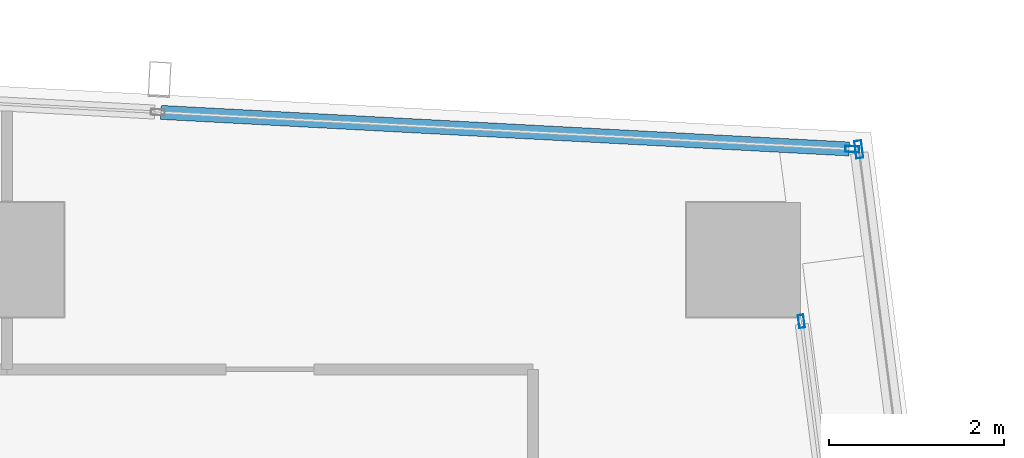
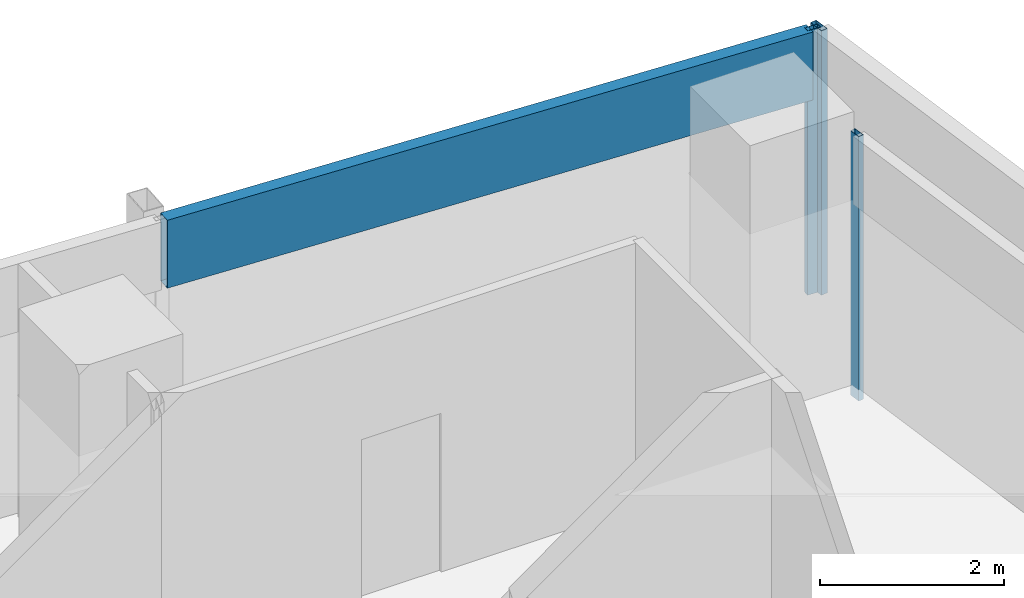
# One storey, part 20 of 29: 4 members, 3 elements without a shape of their own.
"""IFC4 building model written with IfcOpenShell, lengths in metres."""

from ifc_helpers import new_model, si_unit, direction, frame, origin, origin_2d, place, context, subcontext, project, spatial, hollow_rectangle, extrude, material, material_profile, profile_set, type_object, element, aggregate, save


model = new_model("IFC4")

# Units and contexts
model_context = context("Model", 3, precision=1e-05, world=origin(), true_north=direction((0.0, 1.0)))
body_context = subcontext(model_context, "Body", "Model", "MODEL_VIEW")
ifc_project = project(units=[si_unit("LENGTHUNIT", "METRE"), si_unit("AREAUNIT", "SQUARE_METRE"), si_unit("VOLUMEUNIT", "CUBIC_METRE"), si_unit("PLANEANGLEUNIT", "RADIAN"), si_unit("MASSUNIT", "GRAM", prefix="KILO")], contexts=[model_context])

# Site, building, storey
site_placement = place(None, origin())
site = spatial("IfcSite", under=ifc_project, at=site_placement, CompositionType="ELEMENT")
building_placement = place(site_placement, origin())
building = spatial("IfcBuilding", under=site, at=building_placement, Name="Rekha Terrace Tower", CompositionType="ELEMENT")
storey_placement = place(building_placement, frame((0.0, 0.0, 261.35009765625)))
storey = spatial("IfcBuildingStorey", under=building, at=storey_placement, Name="L66", CompositionType="ELEMENT", Elevation=261.35009765625)

# Curtain wall, member
ifc_material_1 = material(Name="Aluminium framing", Category="aluminium")
curtain_wall_type_1 = type_object("IfcCurtainWallType", Name="CW1 double skin inner glazing", PredefinedType="USERDEFINED", material=ifc_material_1)
curtain_wall_1_placement = place(storey_placement, origin())
curtain_wall_1 = element("IfcCurtainWall", 1, at=curtain_wall_1_placement, inside=storey, type_object=curtain_wall_type_1, Name="CW1 double skin inner glazing", ObjectType="DOUBLE SKIN INNER GLAZING", PredefinedType="USERDEFINED")
ifc_material_2 = material(Name="Aluminium mullion section", Category="aluminium")
ifc_material_profile_1 = material_profile(ifc_material_2, hollow_rectangle(XDim=0.06494140625, YDim=0.14990234375, WallThickness=0.00390625, at=origin_2d()), Name="AL RHS 65x150")
ifc_profile_set_1 = profile_set([ifc_material_profile_1], Name="Aluminium mullion section")
member_type_1 = type_object("IfcMemberType", Name="CW1 mullion RHS 65 x 150", PredefinedType="MULLION", material=ifc_profile_set_1)
member_1_placement = place(storey_placement, frame((59.458740234375, 49.6982421875, 0.0), z_axis=(0.0, 0.0, 1.0), x_axis=(-0.991790949472, -0.127869904766, 0.0)))
member_1 = element("IfcMember", 2, at=member_1_placement, type_object=member_type_1, Name="CW1 mullion 2", PredefinedType="MULLION", context=body_context, shape_type="SweptSolid", body=[
    extrude(hollow_rectangle(XDim=0.06494140625, YDim=0.14990234375, WallThickness=0.00390625, at=origin_2d()), origin(), (0.0, 0.0, 1.0), 3.5),
])
aggregate(curtain_wall_1, [member_1])

curtain_wall_type_2 = type_object("IfcCurtainWallType", Name="CW2 double skin outer glazing", PredefinedType="USERDEFINED", material=ifc_material_1)
curtain_wall_2_placement = place(storey_placement, origin())
curtain_wall_2 = element("IfcCurtainWall", 3, at=curtain_wall_2_placement, inside=storey, type_object=curtain_wall_type_2, Name="CW2 double skin outer glazing", ObjectType="DOUBLE SKIN OUTER GLAZING", PredefinedType="USERDEFINED")
ifc_material_profile_2 = material_profile(ifc_material_2, hollow_rectangle(XDim=0.080078125, YDim=0.199951171875, WallThickness=0.00390625, at=origin_2d()), Name="AL RHS 80x200")
ifc_profile_set_2 = profile_set([ifc_material_profile_2], Name="Aluminium mullion section")
member_type_2 = type_object("IfcMemberType", Name="CW2 mullion RHS 80 x 200", PredefinedType="MULLION", material=ifc_profile_set_2)
member_2_placement = place(storey_placement, frame((60.113525390625, 51.65771484375, 0.0), z_axis=(0.0, 0.0, 1.0), x_axis=(-0.991790949459, -0.12786990487, 0.0)))
member_2 = element("IfcMember", 4, at=member_2_placement, type_object=member_type_2, Name="CW2 mullion 2", PredefinedType="MULLION", context=body_context, shape_type="SweptSolid", body=[
    extrude(hollow_rectangle(XDim=0.080078125, YDim=0.199951171875, WallThickness=0.00390625, at=origin_2d()), origin(), (0.0, 0.0, 1.0), 3.5),
])
aggregate(curtain_wall_2, [member_2])

# Curtain wall, members
curtain_wall_type_3 = type_object("IfcCurtainWallType", Name="CW3 north unitised glazing", PredefinedType="USERDEFINED", material=ifc_material_1)
curtain_wall_3_placement = place(storey_placement, origin())
curtain_wall_3 = element("IfcCurtainWall", 5, at=curtain_wall_3_placement, inside=storey, type_object=curtain_wall_type_3, Name="CW3 unitised curtain wall", ObjectType="UNITISED CURTAIN WALL", PredefinedType="USERDEFINED")
ifc_material_profile_3 = material_profile(ifc_material_2, hollow_rectangle(XDim=0.070068359375, YDim=0.159912109375, WallThickness=0.00390625, at=origin_2d()), Name="AL RHS 70x160")
ifc_profile_set_3 = profile_set([ifc_material_profile_3], Name="Aluminium mullion section")
member_type_3 = type_object("IfcMemberType", Name="CW3 mullion RHS 70 x 160", PredefinedType="MULLION", material=ifc_profile_set_3)
member_3_placement = place(storey_placement, frame((60.0380859375, 51.660888671875, 0.0), z_axis=(0.0, 0.0, 1.0), x_axis=(-0.053083275524, -0.998590089005, 0.0)))
member_3 = element("IfcMember", 6, at=member_3_placement, type_object=member_type_3, Name="CW3 mullion 1", PredefinedType="MULLION", context=body_context, shape_type="SweptSolid", body=[
    extrude(hollow_rectangle(XDim=0.070068359375, YDim=0.159912109375, WallThickness=0.00390625, at=origin_2d()), origin(), (0.0, 0.0, 1.0), 3.5),
])
ifc_material_3 = material(Name="Insulated aluminium spandrel box", Category="aluminium")
ifc_material_profile_4 = material_profile(ifc_material_3, hollow_rectangle(XDim=0.159912109375, YDim=0.89990234375, WallThickness=0.0029296875, at=origin_2d()), Name="AL SPANDREL BOX 160x900")
ifc_profile_set_4 = profile_set([ifc_material_profile_4], Name="Insulated aluminium spandrel box")
member_type_4 = type_object("IfcMemberType", Name="CW3 spandrel transom 160 x 900", PredefinedType="USERDEFINED", material=ifc_profile_set_4)
member_4_placement = place(storey_placement, frame((60.003173828125, 51.662841796875, 3.0498046875), z_axis=(-0.99859048353, 0.053075853302, 0.0), x_axis=(-0.053075853302, -0.99859048353, 0.0)))
member_4 = element("IfcMember", 7, at=member_4_placement, type_object=member_type_4, Name="CW3 spandrel transom 1", ObjectType="TRANSOM", PredefinedType="USERDEFINED", context=body_context, shape_type="SweptSolid", body=[
    extrude(hollow_rectangle(XDim=0.159912109375, YDim=0.89990234375, WallThickness=0.0029296875, at=origin_2d()), origin(), (0.0, 0.0, 1.0), 7.8564453125),
])
aggregate(curtain_wall_3, [member_3, member_4])

save(model, "model.ifc")
